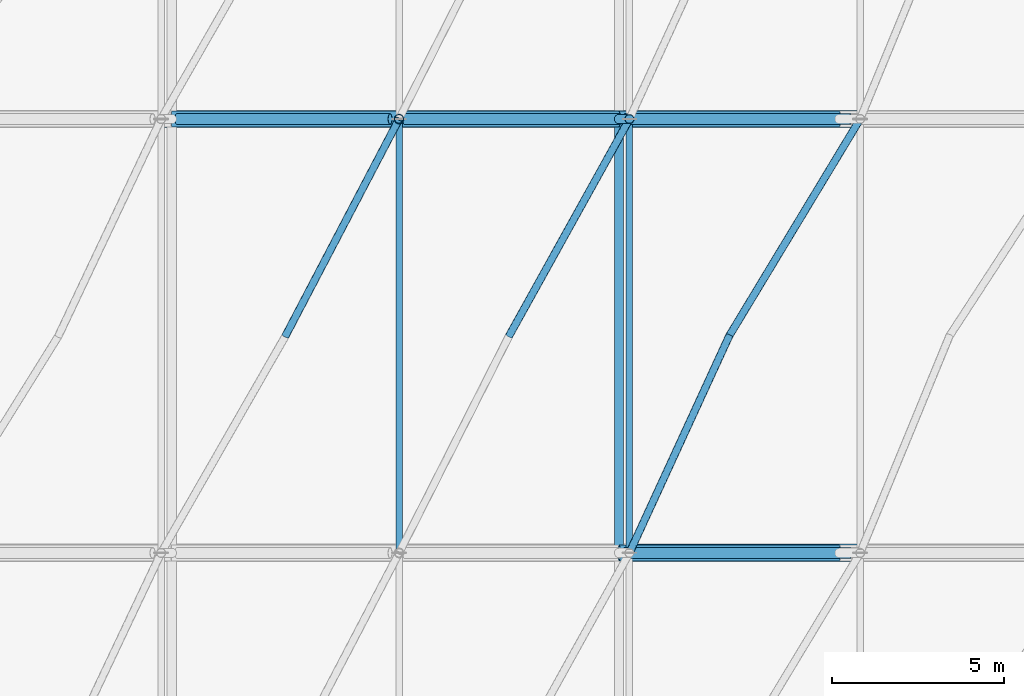
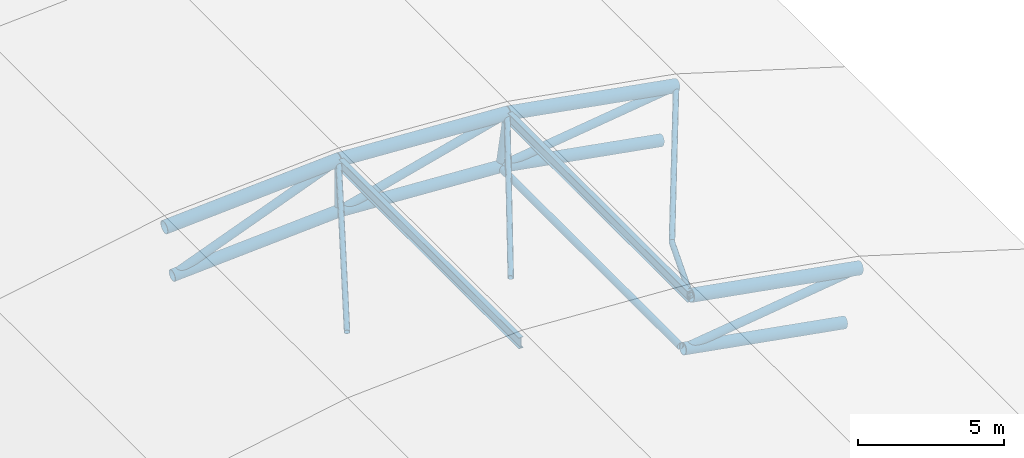
# One storey, part 8 of 18: 21 members.
"""IFC4 building model written with IfcOpenShell, lengths in metres."""

from ifc_helpers import new_model, si_unit, derived_unit, direction, frame, origin, origin_2d, place, context, subcontext, project, spatial, hollow_circle, i_section, extrude, material, material_profile, profile_set, type_object, element, save


model = new_model("IFC4")

# Units and contexts
model_context = context("Model", 3, precision=1e-05, world=origin(), true_north=direction((0.0, 1.0)))
body_context = subcontext(model_context, "Body", "Model", "MODEL_VIEW")
ifc_project = project(units=[si_unit("LENGTHUNIT", "METRE"), si_unit("AREAUNIT", "SQUARE_METRE"), si_unit("VOLUMEUNIT", "CUBIC_METRE"), si_unit("PLANEANGLEUNIT", "RADIAN"), si_unit("MASSUNIT", "GRAM", prefix="KILO"), derived_unit("THERMALTRANSMITTANCEUNIT", [(si_unit("MASSUNIT", "GRAM", prefix="KILO"), 1), (si_unit("TIMEUNIT", "SECOND"), -3), (si_unit("THERMODYNAMICTEMPERATUREUNIT", "KELVIN"), -1)])], contexts=[model_context])

# Site, building, storey
site_placement = place(None, origin())
site = spatial("IfcSite", under=ifc_project, at=site_placement, CompositionType="ELEMENT")
building_placement = place(site_placement, origin())
building = spatial("IfcBuilding", under=site, at=building_placement, Name="Valcora Ridge Arena", CompositionType="ELEMENT")
storey_placement = place(building_placement, frame((0.0, 0.0, 39.800048828125)))
storey = spatial("IfcBuildingStorey", under=building, at=storey_placement, Name="RF", CompositionType="ELEMENT", Elevation=39.800048828125)

# Members
ifc_material_1 = material(Name="Steel ASTM A572 Grade 50", Category="steel")
ifc_material_profile_1 = material_profile(ifc_material_1, i_section(OverallWidth=0.18994140625, OverallDepth=0.45703125, WebThickness=0.009033203125, FlangeThickness=0.014404296875, FilletRadius=0.014892578125, at=origin_2d()), Name="W18X50")
ifc_profile_set_1 = profile_set([ifc_material_profile_1], Name="Steel ASTM A572 Grade 50")
member_type_1 = type_object("IfcMemberType", Name="TY-MEMBER-PUR-W18X50", PredefinedType="PURLIN", material=ifc_profile_set_1)
for number, where, z_axis, x_axis, name in (
    (1, (55.81005859375, 70.449951171875, 1.07958984375), (0.0, 1.0, 0.0), (-1.0, 0.0, 0.0), "PUR-W18X50 SF-PR-PUR-W18X50-0054"),
    (2, (62.5, 70.449951171875, 0.68603515625), (0.0, 1.0, 0.0), (-1.0, 0.0, 0.0), "PUR-W18X50 SF-PR-PUR-W18X50-0055"),
):
    element("IfcMember", number, at=place(storey_placement, frame(where, z_axis=z_axis, x_axis=x_axis)), inside=storey, type_object=member_type_1, Name=name, PredefinedType="PURLIN", context=body_context, shape_type="SweptSolid", body=[
        extrude(i_section(OverallWidth=0.18994140625, OverallDepth=0.45703125, WebThickness=0.009033203125, FlangeThickness=0.014404296875, FilletRadius=0.014892578125, at=origin_2d()), origin(), (0.0, 0.0, 1.0), 12.5),
    ])
ifc_material_2 = material(Name="Steel ASTM A500 Grade C", Category="steel")
ifc_material_profile_2 = material_profile(ifc_material_2, hollow_circle(Radius=0.228515625, WallThickness=0.01611328125, at=origin_2d()), Name="CHS457X16")
ifc_profile_set_2 = profile_set([ifc_material_profile_2], Name="Steel ASTM A500 Grade C")
member_type_2 = type_object("IfcMemberType", Name="TY-MEMBER-SFBC-457", PredefinedType="CHORD", material=ifc_profile_set_2)
member_1_placement = place(storey_placement, frame((62.197509765625, 70.39990234375, -1.373046875), z_axis=(0.98458279147, 0.0, -0.174919200607), x_axis=(0.0, 1.0, 0.0)))
element("IfcMember", 3, at=member_1_placement, inside=storey, type_object=member_type_2, Name="SFBC-457 Space Frame Bottom Chord", PredefinedType="CHORD", context=body_context, shape_type="SweptSolid", body=[
    extrude(hollow_circle(Radius=0.228515625, WallThickness=0.01611328125, at=origin_2d()), origin(), (0.0, 0.0, 1.0), 6.4970703125),
])
member_2_placement = place(storey_placement, frame((49.21240234375, 83.0, -1.39794921875), z_axis=(0.998185892949, 0.0, 0.060207334425), x_axis=(0.0, 1.0, 0.0)))
element("IfcMember", 4, at=member_2_placement, inside=storey, type_object=member_type_2, Name="SFBC-457 Space Frame Bottom Chord", PredefinedType="CHORD", context=body_context, shape_type="SweptSolid", body=[
    extrude(hollow_circle(Radius=0.228515625, WallThickness=0.01611328125, at=origin_2d()), origin(), (0.0, 0.0, 1.0), 6.609619140625),
])
member_3_placement = place(storey_placement, frame((55.81005859375, 83.0, -1.0), z_axis=(0.998298890165, 0.0, -0.058303738263), x_axis=(0.0, 1.0, 0.0)))
element("IfcMember", 5, at=member_3_placement, inside=storey, type_object=member_type_2, Name="SFBC-457 Space Frame Bottom Chord", PredefinedType="CHORD", context=body_context, shape_type="SweptSolid", body=[
    extrude(hollow_circle(Radius=0.228515625, WallThickness=0.01611328125, at=origin_2d()), origin(), (0.0, 0.0, 1.0), 6.3984375),
])
member_4_placement = place(storey_placement, frame((62.197509765625, 83.0, -1.373046875), z_axis=(0.98458279147, 0.0, -0.174919200607), x_axis=(0.0, 1.0, 0.0)))
element("IfcMember", 6, at=member_4_placement, inside=storey, type_object=member_type_2, Name="SFBC-457 Space Frame Bottom Chord", PredefinedType="CHORD", context=body_context, shape_type="SweptSolid", body=[
    extrude(hollow_circle(Radius=0.228515625, WallThickness=0.01611328125, at=origin_2d()), origin(), (0.0, 0.0, 1.0), 6.4970703125),
])
ifc_material_profile_3 = material_profile(ifc_material_2, hollow_circle(Radius=0.136474609375, WallThickness=0.012451171875, at=origin_2d()), Name="CHS273X12")
ifc_profile_set_3 = profile_set([ifc_material_profile_3], Name="Steel ASTM A500 Grade C")
member_type_3 = type_object("IfcMemberType", Name="TY-MEMBER-SFBT-273", PredefinedType="STRUT", material=ifc_profile_set_3)
member_5_placement = place(storey_placement, frame((62.197509765625, 70.580078125, -1.373046875), z_axis=(0.0, 1.0, 0.0), x_axis=(-1.0, 0.0, 0.0)))
element("IfcMember", 7, at=member_5_placement, inside=storey, type_object=member_type_3, Name="SFBT-273 Space Frame Bottom Strut", PredefinedType="STRUT", context=body_context, shape_type="SweptSolid", body=[
    extrude(hollow_circle(Radius=0.136474609375, WallThickness=0.012451171875, at=origin_2d()), origin(), (0.0, 0.0, 1.0), 12.239990234375),
])
ifc_material_profile_4 = material_profile(ifc_material_2, hollow_circle(Radius=0.136474609375, WallThickness=0.012451171875, at=origin_2d()), Name="CHS273X12")
ifc_profile_set_4 = profile_set([ifc_material_profile_4], Name="Steel ASTM A500 Grade C")
member_type_4 = type_object("IfcMemberType", Name="TY-MEMBER-SFKP-273", PredefinedType="POST", material=ifc_profile_set_4)
member_6_placement = place(storey_placement, frame((55.81005859375, 83.0, -1.0), z_axis=(0.0, 0.0, 1.0), x_axis=(1.0, 0.0, 0.0)))
element("IfcMember", 8, at=member_6_placement, inside=storey, type_object=member_type_4, Name="SFKP-273 Space Frame King Post", PredefinedType="POST", context=body_context, shape_type="SweptSolid", body=[
    extrude(hollow_circle(Radius=0.136474609375, WallThickness=0.012451171875, at=origin_2d()), origin(), (0.0, 0.0, 1.0), 2.14990234375),
])
member_7_placement = place(storey_placement, frame((62.197509765625, 83.0, -1.373046875), z_axis=(0.140453193158, 0.0, 0.99008731965), x_axis=(0.0, 1.0, 0.0)))
element("IfcMember", 9, at=member_7_placement, inside=storey, type_object=member_type_4, Name="SFKP-273 Space Frame King Post", PredefinedType="POST", context=body_context, shape_type="SweptSolid", body=[
    extrude(hollow_circle(Radius=0.136474609375, WallThickness=0.012451171875, at=origin_2d()), origin(), (0.0, 0.0, 1.0), 2.153564453125),
])
ifc_material_profile_5 = material_profile(ifc_material_2, hollow_circle(Radius=0.109619140625, WallThickness=0.010009765625, at=origin_2d()), Name="CHS219X10")
ifc_profile_set_5 = profile_set([ifc_material_profile_5], Name="Steel ASTM A500 Grade C")
member_type_5 = type_object("IfcMemberType", Name="TY-MEMBER-SFST-219", PredefinedType="STRUT", material=ifc_profile_set_5)
member_8_placement = place(storey_placement, frame((52.51123046875, 76.699951171875, -1.099365234375), z_axis=(0.442279706619, 0.844658661138, 0.30156327243), x_axis=(-0.885900736373, 0.463874859519, 0.0)))
element("IfcMember", 10, at=member_8_placement, inside=storey, type_object=member_type_5, Name="SFST-219 Space Frame Tie Strut", PredefinedType="STRUT", context=body_context, shape_type="SweptSolid", body=[
    extrude(hollow_circle(Radius=0.109619140625, WallThickness=0.010009765625, at=origin_2d()), origin(), (0.0, 0.0, 1.0), 7.458740234375),
])
member_9_placement = place(storey_placement, frame((59.003662109375, 76.699951171875, -1.093017578125), z_axis=(0.469970193804, 0.846838967329, 0.248981485957), x_axis=(-0.874374557103, 0.485251619154, 0.0)))
element("IfcMember", 11, at=member_9_placement, inside=storey, type_object=member_type_5, Name="SFST-219 Space Frame Tie Strut", PredefinedType="STRUT", context=body_context, shape_type="SweptSolid", body=[
    extrude(hollow_circle(Radius=0.109619140625, WallThickness=0.010009765625, at=origin_2d()), origin(), (0.0, 0.0, 1.0), 7.439453125),
])
member_10_placement = place(storey_placement, frame((65.39599609375, 76.699951171875, -1.843505859375), z_axis=(-0.3910228866, -0.850644544657, 0.351432725851), x_axis=(0.908601375481, -0.417664387365, 0.0)))
element("IfcMember", 12, at=member_10_placement, inside=storey, type_object=member_type_5, Name="SFST-219 Space Frame Tie Strut", PredefinedType="STRUT", context=body_context, shape_type="SweptSolid", body=[
    extrude(hollow_circle(Radius=0.109619140625, WallThickness=0.010009765625, at=origin_2d()), origin(), (0.0, 0.0, 1.0), 7.40625),
])
member_11_placement = place(storey_placement, frame((65.39599609375, 76.699951171875, -1.843505859375), z_axis=(0.50761778143, 0.84070835311, 0.188503721414), x_axis=(-0.856055305628, 0.516884236272, 0.0)))
element("IfcMember", 13, at=member_11_placement, inside=storey, type_object=member_type_5, Name="SFST-219 Space Frame Tie Strut", PredefinedType="STRUT", context=body_context, shape_type="SweptSolid", body=[
    extrude(hollow_circle(Radius=0.109619140625, WallThickness=0.010009765625, at=origin_2d()), origin(), (0.0, 0.0, 1.0), 7.49365234375),
])
ifc_material_profile_6 = material_profile(ifc_material_2, hollow_circle(Radius=0.25390625, WallThickness=0.01611328125, at=origin_2d()), Name="CHS508X16")
ifc_profile_set_6 = profile_set([ifc_material_profile_6], Name="Steel ASTM A500 Grade C")
member_type_6 = type_object("IfcMemberType", Name="TY-MEMBER-SFTC-508", PredefinedType="CHORD", material=ifc_profile_set_6)
member_12_placement = place(storey_placement, frame((62.5, 70.39990234375, 0.75927734375), z_axis=(0.984585719015, 0.0, -0.174902721284), x_axis=(0.0, 1.0, 0.0)))
element("IfcMember", 14, at=member_12_placement, inside=storey, type_object=member_type_6, Name="SFTC-508 Space Frame Top Chord", PredefinedType="CHORD", context=body_context, shape_type="SweptSolid", body=[
    extrude(hollow_circle(Radius=0.25390625, WallThickness=0.01611328125, at=origin_2d()), origin(), (0.0, 0.0, 1.0), 6.804931640625),
])
member_13_placement = place(storey_placement, frame((48.89990234375, 83.0, 0.7333984375), z_axis=(0.998188446948, 0.0, 0.060164976346), x_axis=(0.0, 1.0, 0.0)))
element("IfcMember", 15, at=member_13_placement, inside=storey, type_object=member_type_6, Name="SFTC-508 Space Frame Top Chord", PredefinedType="CHORD", context=body_context, shape_type="SweptSolid", body=[
    extrude(hollow_circle(Radius=0.25390625, WallThickness=0.01611328125, at=origin_2d()), origin(), (0.0, 0.0, 1.0), 6.922607421875),
])
member_14_placement = place(storey_placement, frame((55.81005859375, 83.0, 1.14990234375), z_axis=(0.998299656479, 0.0, -0.058290615662), x_axis=(0.0, 1.0, 0.0)))
element("IfcMember", 16, at=member_14_placement, inside=storey, type_object=member_type_6, Name="SFTC-508 Space Frame Top Chord", PredefinedType="CHORD", context=body_context, shape_type="SweptSolid", body=[
    extrude(hollow_circle(Radius=0.25390625, WallThickness=0.01611328125, at=origin_2d()), origin(), (0.0, 0.0, 1.0), 6.701416015625),
])
member_15_placement = place(storey_placement, frame((62.5, 83.0, 0.75927734375), z_axis=(0.984585719015, 0.0, -0.174902721284), x_axis=(0.0, 1.0, 0.0)))
element("IfcMember", 17, at=member_15_placement, inside=storey, type_object=member_type_6, Name="SFTC-508 Space Frame Top Chord", PredefinedType="CHORD", context=body_context, shape_type="SweptSolid", body=[
    extrude(hollow_circle(Radius=0.25390625, WallThickness=0.01611328125, at=origin_2d()), origin(), (0.0, 0.0, 1.0), 6.804931640625),
])
ifc_material_profile_7 = material_profile(ifc_material_2, hollow_circle(Radius=0.161865234375, WallThickness=0.012451171875, at=origin_2d()), Name="CHS323X12")
ifc_profile_set_7 = profile_set([ifc_material_profile_7], Name="Steel ASTM A500 Grade C")
member_type_7 = type_object("IfcMemberType", Name="TY-MEMBER-SFWB-323", PredefinedType="BRACE", material=ifc_profile_set_7)
member_16_placement = place(storey_placement, frame((62.356201171875, 70.39990234375, -1.3515625), z_axis=(0.991073399433, 0.0, 0.133317354222), x_axis=(0.0, 1.0, 0.0)))
element("IfcMember", 18, at=member_16_placement, inside=storey, type_object=member_type_7, Name="SFWB-323 Space Frame Diagonal Brace", PredefinedType="BRACE", context=body_context, shape_type="SweptSolid", body=[
    extrude(hollow_circle(Radius=0.161865234375, WallThickness=0.012451171875, at=origin_2d()), origin(), (0.0, 0.0, 1.0), 6.62548828125),
])
member_17_placement = place(storey_placement, frame((49.36181640625, 83.0, -1.34033203125), z_axis=(0.932850436779, 0.0, 0.360263879124), x_axis=(0.0, 1.0, 0.0)))
element("IfcMember", 19, at=member_17_placement, inside=storey, type_object=member_type_7, Name="SFWB-323 Space Frame Diagonal Brace", PredefinedType="BRACE", context=body_context, shape_type="SweptSolid", body=[
    extrude(hollow_circle(Radius=0.161865234375, WallThickness=0.012451171875, at=origin_2d()), origin(), (0.0, 0.0, 1.0), 6.63232421875),
])
member_18_placement = place(storey_placement, frame((55.964599609375, 83.0, -0.959228515625), z_axis=(0.967117485825, 0.0, 0.254330038751), x_axis=(0.0, 1.0, 0.0)))
element("IfcMember", 20, at=member_18_placement, inside=storey, type_object=member_type_7, Name="SFWB-323 Space Frame Diagonal Brace", PredefinedType="BRACE", context=body_context, shape_type="SweptSolid", body=[
    extrude(hollow_circle(Radius=0.161865234375, WallThickness=0.012451171875, at=origin_2d()), origin(), (0.0, 0.0, 1.0), 6.4775390625),
])
member_19_placement = place(storey_placement, frame((62.356201171875, 83.0, -1.3515625), z_axis=(0.991073399433, 0.0, 0.133317354222), x_axis=(0.0, 1.0, 0.0)))
element("IfcMember", 21, at=member_19_placement, inside=storey, type_object=member_type_7, Name="SFWB-323 Space Frame Diagonal Brace", PredefinedType="BRACE", context=body_context, shape_type="SweptSolid", body=[
    extrude(hollow_circle(Radius=0.161865234375, WallThickness=0.012451171875, at=origin_2d()), origin(), (0.0, 0.0, 1.0), 6.62548828125),
])

save(model, "model.ifc")
